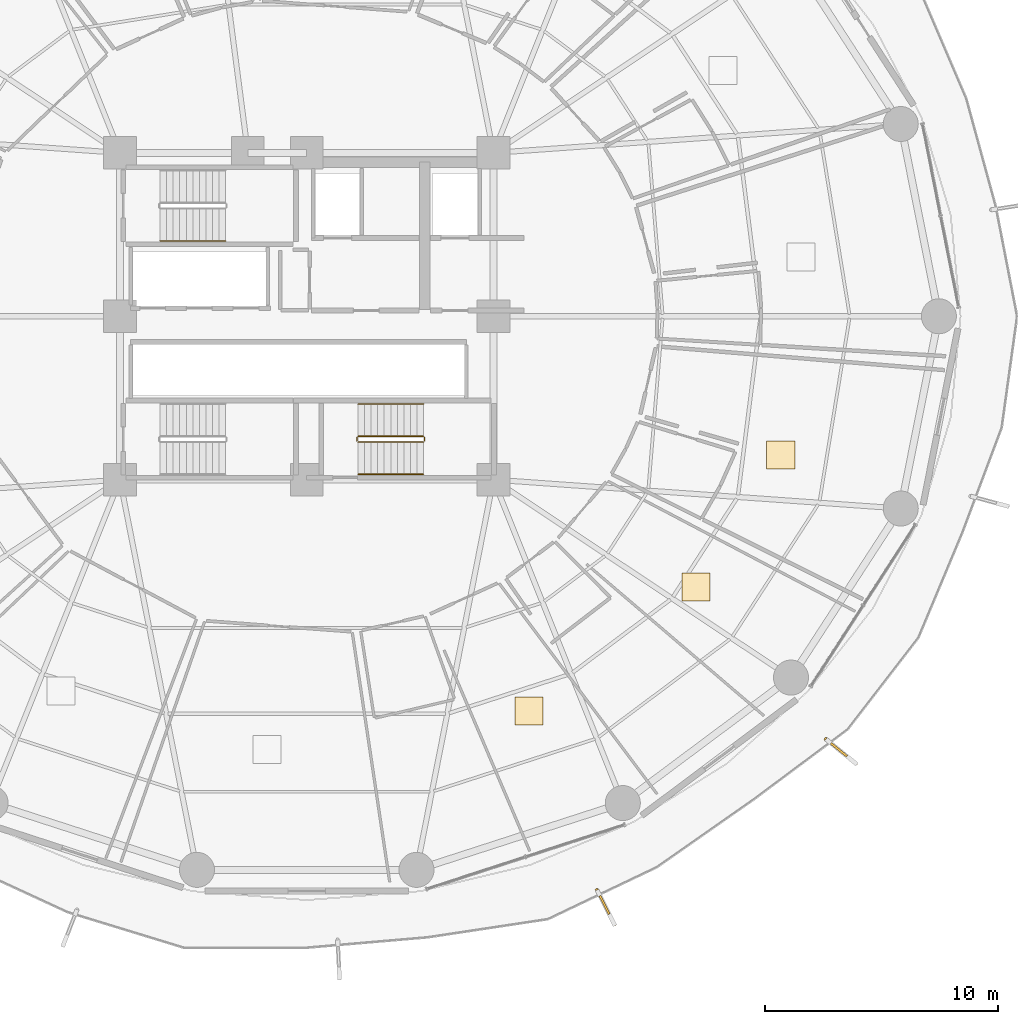
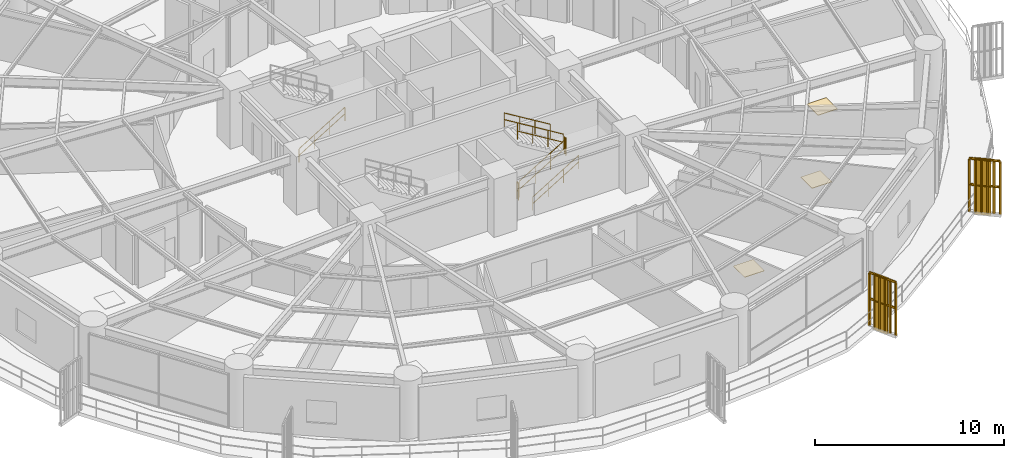
# One storey, part 29 of 32: 9 railings, 3 coverings, 2 shading devices.
"""IFC4 building model written with IfcOpenShell, lengths in metres."""

from ifc_helpers import new_model, si_unit, direction, frame, origin, origin_2d, place, context, subcontext, project, spatial, polyline, rectangle, outline, extrude, source, transform, mapped, material, layer, layer_set, type_object, element, save


model = new_model("IFC4")

# Units and contexts
model_context = context("Model", 3, precision=1e-05, world=origin(), true_north=direction((0.0, 1.0)))
body_context = subcontext(model_context, "Body", "Model", "MODEL_VIEW")
ifc_project = project(units=[si_unit("LENGTHUNIT", "METRE"), si_unit("AREAUNIT", "SQUARE_METRE"), si_unit("VOLUMEUNIT", "CUBIC_METRE"), si_unit("PLANEANGLEUNIT", "RADIAN"), si_unit("MASSUNIT", "GRAM", prefix="KILO")], contexts=[model_context])

# Site, building, storey
site_placement = place(None, origin())
site = spatial("IfcSite", under=ifc_project, at=site_placement, CompositionType="ELEMENT")
building_placement = place(site_placement, origin())
building = spatial("IfcBuilding", under=site, at=building_placement, Name="Kelanora Arch Commons", CompositionType="ELEMENT")
storey_placement = place(building_placement, frame((0.0, 0.0, 60.0)))
storey = spatial("IfcBuildingStorey", under=building, at=storey_placement, Name="L15", CompositionType="ELEMENT", Elevation=60.0)

# Railings
ifc_material_1 = material(Name="Anodised bronze vertical shading fin rib assembly")
railing_type_1 = type_object("IfcRailingType", Name="RAIL-FIN-BRZ", PredefinedType="BALUSTRADE", material=ifc_material_1)
railing_1_placement = place(storey_placement, frame((86.433349609375, 33.42578125, -0.02001953125)))
element("IfcRailing", 1, at=railing_1_placement, inside=storey, type_object=railing_type_1, Name="Sweeping Bronze Vertical Fin Blade L15-11", PredefinedType="BALUSTRADE", context=body_context, shape_type="SweptSolid", body=[
    extrude(outline(polyline([(0.06982421875, 0.0), (0.034912109375, 0.060546875), (-0.034912109375, 0.060546875), (-0.06982421875, 0.0), (-0.034912109375, -0.060546875), (0.034912109375, -0.060546875), (0.06982421875, 0.0)])), frame((0.0, 0.0, 3.419921875), z_axis=(0.451398136446, -0.892322656001, 0.0), x_axis=(0.892322656001, 0.451398136446, 0.0)), (0.0, 0.0, 1.0), 1.655029296875),
    extrude(outline(polyline([(0.06982421875, 0.0), (0.034912109375, 0.060546875), (-0.034912109375, 0.060546875), (-0.06982421875, 0.0), (-0.034912109375, -0.060546875), (0.034912109375, -0.060546875), (0.06982421875, 0.0)])), frame((0.0, 0.0, 1.7451171875), z_axis=(0.451398136446, -0.892322656001, 0.0), x_axis=(0.892322656001, 0.451398136446, 0.0)), (0.0, 0.0, 1.0), 1.655029296875),
    extrude(outline(polyline([(0.080078125, 0.0), (0.0400390625, 0.0693359375), (-0.0400390625, 0.0693359375), (-0.080078125, 0.0), (-0.0400390625, -0.0693359375), (0.0400390625, -0.0693359375), (0.080078125, 0.0)])), origin(), (0.0, 0.0, 1.0), 3.35009765625),
    extrude(outline(polyline([(0.080078125, 0.0), (0.0400390625, 0.0693359375), (-0.0400390625, 0.0693359375), (-0.080078125, 0.0), (-0.0400390625, -0.0693359375), (0.0400390625, -0.0693359375), (0.080078125, 0.0)])), frame((0.1494140625, -0.29541015625, 0.0)), (0.0, 0.0, 1.0), 3.35009765625),
    extrude(outline(polyline([(0.080078125, 0.0), (0.0400390625, 0.0693359375), (-0.0400390625, 0.0693359375), (-0.080078125, 0.0), (-0.0400390625, -0.0693359375), (0.0400390625, -0.0693359375), (0.080078125, 0.0)])), frame((0.298828125, -0.5908203125, 0.0)), (0.0, 0.0, 1.0), 3.35009765625),
    extrude(outline(polyline([(0.080078125, 0.0), (0.0400390625, 0.0693359375), (-0.0400390625, 0.0693359375), (-0.080078125, 0.0), (-0.0400390625, -0.0693359375), (0.0400390625, -0.0693359375), (0.080078125, 0.0)])), frame((0.4482421875, -0.885986328125, 0.0)), (0.0, 0.0, 1.0), 3.35009765625),
    extrude(outline(polyline([(0.080078125, 0.0), (0.0400390625, 0.0693359375), (-0.0400390625, 0.0693359375), (-0.080078125, 0.0), (-0.0400390625, -0.0693359375), (0.0400390625, -0.0693359375), (0.080078125, 0.0)])), frame((0.59765625, -1.181396484375, 0.0)), (0.0, 0.0, 1.0), 3.35009765625),
    extrude(outline(polyline([(0.080078125, 0.0), (0.0400390625, 0.0693359375), (-0.0400390625, 0.0693359375), (-0.080078125, 0.0), (-0.0400390625, -0.0693359375), (0.0400390625, -0.0693359375), (0.080078125, 0.0)])), frame((0.7470703125, -1.476806640625, 0.0)), (0.0, 0.0, 1.0), 3.35009765625),
])
railing_2_placement = place(storey_placement, frame((96.243408203125, 39.882568359375, -0.02001953125)))
element("IfcRailing", 2, at=railing_2_placement, inside=storey, type_object=railing_type_1, Name="Sweeping Bronze Vertical Fin Blade L15-12", PredefinedType="BALUSTRADE", context=body_context, shape_type="SweptSolid", body=[
    extrude(outline(polyline([(0.06982421875, 0.0), (0.034912109375, 0.060546875), (-0.034912109375, 0.060546875), (-0.06982421875, 0.0), (-0.034912109375, -0.060546875), (0.034912109375, -0.060546875), (0.06982421875, 0.0)])), frame((0.0, 0.0, 3.419921875), z_axis=(0.775355369592, -0.631525178315, 0.0), x_axis=(0.631525178315, 0.775355369592, 0.0)), (0.0, 0.0, 1.0), 1.655029296875),
    extrude(outline(polyline([(0.06982421875, 0.0), (0.034912109375, 0.060546875), (-0.034912109375, 0.060546875), (-0.06982421875, 0.0), (-0.034912109375, -0.060546875), (0.034912109375, -0.060546875), (0.06982421875, 0.0)])), frame((0.0, 0.0, 1.7451171875), z_axis=(0.775355369592, -0.631525178315, 0.0), x_axis=(0.631525178315, 0.775355369592, 0.0)), (0.0, 0.0, 1.0), 1.655029296875),
    extrude(outline(polyline([(0.080078125, 0.0), (0.0400390625, 0.0693359375), (-0.0400390625, 0.0693359375), (-0.080078125, 0.0), (-0.0400390625, -0.0693359375), (0.0400390625, -0.0693359375), (0.080078125, 0.0)])), origin(), (0.0, 0.0, 1.0), 3.35009765625),
    extrude(outline(polyline([(0.080078125, 0.0), (0.0400390625, 0.0693359375), (-0.0400390625, 0.0693359375), (-0.080078125, 0.0), (-0.0400390625, -0.0693359375), (0.0400390625, -0.0693359375), (0.080078125, 0.0)])), frame((0.256591796875, -0.208984375, 0.0)), (0.0, 0.0, 1.0), 3.35009765625),
    extrude(outline(polyline([(0.080078125, 0.0), (0.0400390625, 0.0693359375), (-0.0400390625, 0.0693359375), (-0.080078125, 0.0), (-0.0400390625, -0.0693359375), (0.0400390625, -0.0693359375), (0.080078125, 0.0)])), frame((0.51318359375, -0.41796875, 0.0)), (0.0, 0.0, 1.0), 3.35009765625),
    extrude(outline(polyline([(0.080078125, 0.0), (0.0400390625, 0.0693359375), (-0.0400390625, 0.0693359375), (-0.080078125, 0.0), (-0.0400390625, -0.0693359375), (0.0400390625, -0.0693359375), (0.080078125, 0.0)])), frame((0.77001953125, -0.627197265625, 0.0)), (0.0, 0.0, 1.0), 3.35009765625),
    extrude(outline(polyline([(0.080078125, 0.0), (0.0400390625, 0.0693359375), (-0.0400390625, 0.0693359375), (-0.080078125, 0.0), (-0.0400390625, -0.0693359375), (0.0400390625, -0.0693359375), (0.080078125, 0.0)])), frame((1.026611328125, -0.836181640625, 0.0)), (0.0, 0.0, 1.0), 3.35009765625),
    extrude(outline(polyline([(0.080078125, 0.0), (0.0400390625, 0.0693359375), (-0.0400390625, 0.0693359375), (-0.080078125, 0.0), (-0.0400390625, -0.0693359375), (0.0400390625, -0.0693359375), (0.080078125, 0.0)])), frame((1.283203125, -1.045166015625, 0.0)), (0.0, 0.0, 1.0), 3.35009765625),
])
ifc_material_2 = material(Name="Painted steel stair well guard", Category="steel")
railing_type_2 = type_object("IfcRailingType", Name="RAIL-STAIR-GRD", PredefinedType="GUARDRAIL", material=ifc_material_2)
railing_3_placement = place(storey_placement, frame((76.199951171875, 52.610107421875, 0.17041015625)))
element("IfcRailing", 3, at=railing_3_placement, inside=storey, type_object=railing_type_2, Name="L15 ST-T2 stair guard 1", PredefinedType="GUARDRAIL", context=body_context, shape_type="SweptSolid", body=[
    extrude(outline(polyline([(0.02392578125, 0.0), (0.011962890625, 0.020751953125), (-0.011962890625, 0.020751953125), (-0.02392578125, 0.0), (-0.011962890625, -0.020751953125), (0.011962890625, -0.020751953125), (0.02392578125, 0.0)])), frame((0.0, 0.0, 1.076171875), z_axis=(0.854169791009, 0.0, 0.51999420009), x_axis=(0.0, 1.0, 0.0)), (0.0, 0.0, 1.0), 3.278076171875),
    extrude(outline(polyline([(0.02392578125, 0.0), (0.011962890625, 0.020751953125), (-0.011962890625, 0.020751953125), (-0.02392578125, 0.0), (-0.011962890625, -0.020751953125), (0.011962890625, -0.020751953125), (0.02392578125, 0.0)])), frame((0.0, 0.0, 0.550048828125), z_axis=(0.854169791009, 0.0, 0.51999420009), x_axis=(0.0, 1.0, 0.0)), (0.0, 0.0, 1.0), 3.278076171875),
    extrude(outline(polyline([(0.02099609375, 0.0), (0.010498046875, 0.01806640625), (-0.010498046875, 0.01806640625), (-0.02099609375, 0.0), (-0.010498046875, -0.01806640625), (0.010498046875, -0.01806640625), (0.02099609375, 0.0)])), origin(), (0.0, 0.0, 1.0), 1.052001953125),
    extrude(outline(polyline([(0.02099609375, 0.0), (0.010498046875, 0.01806640625), (-0.010498046875, 0.01806640625), (-0.02099609375, 0.0), (-0.010498046875, -0.01806640625), (0.010498046875, -0.01806640625), (0.02099609375, 0.0)])), frame((0.933349609375, 0.0, 0.568115234375)), (0.0, 0.0, 1.0), 1.052001953125),
    extrude(outline(polyline([(0.02099609375, 0.0), (0.010498046875, 0.01806640625), (-0.010498046875, 0.01806640625), (-0.02099609375, 0.0), (-0.010498046875, -0.01806640625), (0.010498046875, -0.01806640625), (0.02099609375, 0.0)])), frame((1.86669921875, 0.0, 1.136474609375)), (0.0, 0.0, 1.0), 1.052001953125),
    extrude(outline(polyline([(0.02099609375, 0.0), (0.010498046875, 0.01806640625), (-0.010498046875, 0.01806640625), (-0.02099609375, 0.0), (-0.010498046875, -0.01806640625), (0.010498046875, -0.01806640625), (0.02099609375, 0.0)])), frame((2.800048828125, 0.0, 1.70458984375)), (0.0, 0.0, 1.0), 1.052001953125),
])
railing_4_placement = place(storey_placement, frame((79.050048828125, 52.659912109375, 1.875)))
element("IfcRailing", 4, at=railing_4_placement, inside=storey, type_object=railing_type_2, Name="L15 ST-T2 stair guard 2", PredefinedType="GUARDRAIL", context=body_context, shape_type="SweptSolid", body=[
    extrude(outline(polyline([(0.02392578125, 0.0), (0.011962890625, 0.020751953125), (-0.011962890625, 0.020751953125), (-0.02392578125, 0.0), (-0.011962890625, -0.020751953125), (0.011962890625, -0.020751953125), (0.02392578125, 0.0)])), frame((0.0, 0.0, 1.076171875), z_axis=(0.0, 1.0, 0.0), x_axis=(-1.0, 0.0, 0.0)), (0.0, 0.0, 1.0), 0.150146484375),
    extrude(outline(polyline([(0.02392578125, 0.0), (0.011962890625, 0.020751953125), (-0.011962890625, 0.020751953125), (-0.02392578125, 0.0), (-0.011962890625, -0.020751953125), (0.011962890625, -0.020751953125), (0.02392578125, 0.0)])), frame((0.0, 0.0, 0.550048828125), z_axis=(0.0, 1.0, 0.0), x_axis=(-1.0, 0.0, 0.0)), (0.0, 0.0, 1.0), 0.150146484375),
    extrude(outline(polyline([(0.02099609375, 0.0), (0.010498046875, 0.01806640625), (-0.010498046875, 0.01806640625), (-0.02099609375, 0.0), (-0.010498046875, -0.01806640625), (0.010498046875, -0.01806640625), (0.02099609375, 0.0)])), origin(), (0.0, 0.0, 1.0), 1.052001953125),
    extrude(outline(polyline([(0.02099609375, 0.0), (0.010498046875, 0.01806640625), (-0.010498046875, 0.01806640625), (-0.02099609375, 0.0), (-0.010498046875, -0.01806640625), (0.010498046875, -0.01806640625), (0.02099609375, 0.0)])), frame((0.0, 0.150146484375, 0.0)), (0.0, 0.0, 1.0), 1.052001953125),
])
railing_5_placement = place(storey_placement, frame((79.0, 52.860107421875, 2.04541015625)))
element("IfcRailing", 5, at=railing_5_placement, inside=storey, type_object=railing_type_2, Name="L15 ST-T2 stair guard 3", PredefinedType="GUARDRAIL", context=body_context, shape_type="SweptSolid", body=[
    extrude(outline(polyline([(0.02392578125, 0.0), (0.011962890625, 0.020751953125), (-0.011962890625, 0.020751953125), (-0.02392578125, 0.0), (-0.011962890625, -0.020751953125), (0.011962890625, -0.020751953125), (0.02392578125, 0.0)])), frame((0.0, 0.0, 1.076171875), z_axis=(-0.854169791009, 0.0, 0.51999420009), x_axis=(0.0, -1.0, 0.0)), (0.0, 0.0, 1.0), 3.278076171875),
    extrude(outline(polyline([(0.02392578125, 0.0), (0.011962890625, 0.020751953125), (-0.011962890625, 0.020751953125), (-0.02392578125, 0.0), (-0.011962890625, -0.020751953125), (0.011962890625, -0.020751953125), (0.02392578125, 0.0)])), frame((0.0, 0.0, 0.550048828125), z_axis=(-0.854169791009, 0.0, 0.51999420009), x_axis=(0.0, -1.0, 0.0)), (0.0, 0.0, 1.0), 3.278076171875),
    extrude(outline(polyline([(0.02099609375, 0.0), (0.010498046875, 0.01806640625), (-0.010498046875, 0.01806640625), (-0.02099609375, 0.0), (-0.010498046875, -0.01806640625), (0.010498046875, -0.01806640625), (0.02099609375, 0.0)])), origin(), (0.0, 0.0, 1.0), 1.052001953125),
    extrude(outline(polyline([(0.02099609375, 0.0), (0.010498046875, 0.01806640625), (-0.010498046875, 0.01806640625), (-0.02099609375, 0.0), (-0.010498046875, -0.01806640625), (0.010498046875, -0.01806640625), (0.02099609375, 0.0)])), frame((-0.933349609375, 0.0, 0.568115234375)), (0.0, 0.0, 1.0), 1.052001953125),
    extrude(outline(polyline([(0.02099609375, 0.0), (0.010498046875, 0.01806640625), (-0.010498046875, 0.01806640625), (-0.02099609375, 0.0), (-0.010498046875, -0.01806640625), (0.010498046875, -0.01806640625), (0.02099609375, 0.0)])), frame((-1.86669921875, 0.0, 1.136474609375)), (0.0, 0.0, 1.0), 1.052001953125),
    extrude(outline(polyline([(0.02099609375, 0.0), (0.010498046875, 0.01806640625), (-0.010498046875, 0.01806640625), (-0.02099609375, 0.0), (-0.010498046875, -0.01806640625), (0.010498046875, -0.01806640625), (0.02099609375, 0.0)])), frame((-2.800048828125, 0.0, 1.70458984375)), (0.0, 0.0, 1.0), 1.052001953125),
])
railing_6_placement = place(storey_placement, frame((76.14990234375, 52.659912109375, 0.0)))
element("IfcRailing", 6, at=railing_6_placement, inside=storey, type_object=railing_type_2, Name="L15 ST-T2 stair guard 4", PredefinedType="GUARDRAIL", context=body_context, shape_type="SweptSolid", body=[
    extrude(outline(polyline([(0.02392578125, 0.0), (0.011962890625, 0.020751953125), (-0.011962890625, 0.020751953125), (-0.02392578125, 0.0), (-0.011962890625, -0.020751953125), (0.011962890625, -0.020751953125), (0.02392578125, 0.0)])), frame((0.0, 0.0, 1.076171875), z_axis=(0.0, 1.0, 0.0), x_axis=(-1.0, 0.0, 0.0)), (0.0, 0.0, 1.0), 0.150146484375),
    extrude(outline(polyline([(0.02392578125, 0.0), (0.011962890625, 0.020751953125), (-0.011962890625, 0.020751953125), (-0.02392578125, 0.0), (-0.011962890625, -0.020751953125), (0.011962890625, -0.020751953125), (0.02392578125, 0.0)])), frame((0.0, 0.0, 0.550048828125), z_axis=(0.0, 1.0, 0.0), x_axis=(-1.0, 0.0, 0.0)), (0.0, 0.0, 1.0), 0.150146484375),
    extrude(outline(polyline([(0.02099609375, 0.0), (0.010498046875, 0.01806640625), (-0.010498046875, 0.01806640625), (-0.02099609375, 0.0), (-0.010498046875, -0.01806640625), (0.010498046875, -0.01806640625), (0.02099609375, 0.0)])), origin(), (0.0, 0.0, 1.0), 1.052001953125),
    extrude(outline(polyline([(0.02099609375, 0.0), (0.010498046875, 0.01806640625), (-0.010498046875, 0.01806640625), (-0.02099609375, 0.0), (-0.010498046875, -0.01806640625), (0.010498046875, -0.01806640625), (0.02099609375, 0.0)])), frame((0.0, 0.150146484375, 0.0)), (0.0, 0.0, 1.0), 1.052001953125),
])
ifc_material_3 = material(Name="Brushed stainless steel stair handrail", Category="steel")
railing_type_3 = type_object("IfcRailingType", Name="RAIL-STAIR-HND", PredefinedType="HANDRAIL", material=ifc_material_3)
railing_7_placement = place(storey_placement, frame((67.719970703125, 61.22998046875, 0.17041015625)))
element("IfcRailing", 7, at=railing_7_placement, inside=storey, type_object=railing_type_3, Name="L15 ST-T1 stair handrail 1", PredefinedType="HANDRAIL", context=body_context, shape_type="SweptSolid", body=[
    extrude(outline(polyline([(0.02392578125, 0.0), (0.011962890625, 0.020751953125), (-0.011962890625, 0.020751953125), (-0.02392578125, 0.0), (-0.011962890625, -0.020751953125), (0.011962890625, -0.020751953125), (0.02392578125, 0.0)])), frame((0.0, 0.0, 0.8759765625), z_axis=(0.854169791009, 0.0, 0.51999420009), x_axis=(0.0, 1.0, 0.0)), (0.0, 0.0, 1.0), 3.278076171875),
    extrude(outline(polyline([(0.02392578125, 0.0), (0.011962890625, 0.020751953125), (-0.011962890625, 0.020751953125), (-0.02392578125, 0.0), (-0.011962890625, -0.020751953125), (0.011962890625, -0.020751953125), (0.02392578125, 0.0)])), frame((0.0, 0.0, 0.449951171875), z_axis=(0.854169791009, 0.0, 0.51999420009), x_axis=(0.0, 1.0, 0.0)), (0.0, 0.0, 1.0), 3.278076171875),
    extrude(outline(polyline([(0.02099609375, 0.0), (0.010498046875, 0.01806640625), (-0.010498046875, 0.01806640625), (-0.02099609375, 0.0), (-0.010498046875, -0.01806640625), (0.010498046875, -0.01806640625), (0.02099609375, 0.0)])), origin(), (0.0, 0.0, 1.0), 0.851806640625),
    extrude(outline(polyline([(0.02099609375, 0.0), (0.010498046875, 0.01806640625), (-0.010498046875, 0.01806640625), (-0.02099609375, 0.0), (-0.010498046875, -0.01806640625), (0.010498046875, -0.01806640625), (0.02099609375, 0.0)])), frame((0.933349609375, 0.0, 0.568115234375)), (0.0, 0.0, 1.0), 0.851806640625),
    extrude(outline(polyline([(0.02099609375, 0.0), (0.010498046875, 0.01806640625), (-0.010498046875, 0.01806640625), (-0.02099609375, 0.0), (-0.010498046875, -0.01806640625), (0.010498046875, -0.01806640625), (0.02099609375, 0.0)])), frame((1.86669921875, 0.0, 1.136474609375)), (0.0, 0.0, 1.0), 0.851806640625),
    extrude(outline(polyline([(0.02099609375, 0.0), (0.010498046875, 0.01806640625), (-0.010498046875, 0.01806640625), (-0.02099609375, 0.0), (-0.010498046875, -0.01806640625), (0.010498046875, -0.01806640625), (0.02099609375, 0.0)])), frame((2.800048828125, 0.0, 1.70458984375)), (0.0, 0.0, 1.0), 0.851806640625),
])
railing_8_placement = place(storey_placement, frame((76.199951171875, 51.22998046875, 0.17041015625)))
element("IfcRailing", 8, at=railing_8_placement, inside=storey, type_object=railing_type_3, Name="L15 ST-T2 stair handrail 1", PredefinedType="HANDRAIL", context=body_context, shape_type="SweptSolid", body=[
    extrude(outline(polyline([(0.02392578125, 0.0), (0.011962890625, 0.020751953125), (-0.011962890625, 0.020751953125), (-0.02392578125, 0.0), (-0.011962890625, -0.020751953125), (0.011962890625, -0.020751953125), (0.02392578125, 0.0)])), frame((0.0, 0.0, 0.8759765625), z_axis=(0.854169791009, 0.0, 0.51999420009), x_axis=(0.0, 1.0, 0.0)), (0.0, 0.0, 1.0), 3.278076171875),
    extrude(outline(polyline([(0.02392578125, 0.0), (0.011962890625, 0.020751953125), (-0.011962890625, 0.020751953125), (-0.02392578125, 0.0), (-0.011962890625, -0.020751953125), (0.011962890625, -0.020751953125), (0.02392578125, 0.0)])), frame((0.0, 0.0, 0.449951171875), z_axis=(0.854169791009, 0.0, 0.51999420009), x_axis=(0.0, 1.0, 0.0)), (0.0, 0.0, 1.0), 3.278076171875),
    extrude(outline(polyline([(0.02099609375, 0.0), (0.010498046875, 0.01806640625), (-0.010498046875, 0.01806640625), (-0.02099609375, 0.0), (-0.010498046875, -0.01806640625), (0.010498046875, -0.01806640625), (0.02099609375, 0.0)])), origin(), (0.0, 0.0, 1.0), 0.851806640625),
    extrude(outline(polyline([(0.02099609375, 0.0), (0.010498046875, 0.01806640625), (-0.010498046875, 0.01806640625), (-0.02099609375, 0.0), (-0.010498046875, -0.01806640625), (0.010498046875, -0.01806640625), (0.02099609375, 0.0)])), frame((0.933349609375, 0.0, 0.568115234375)), (0.0, 0.0, 1.0), 0.851806640625),
    extrude(outline(polyline([(0.02099609375, 0.0), (0.010498046875, 0.01806640625), (-0.010498046875, 0.01806640625), (-0.02099609375, 0.0), (-0.010498046875, -0.01806640625), (0.010498046875, -0.01806640625), (0.02099609375, 0.0)])), frame((1.86669921875, 0.0, 1.136474609375)), (0.0, 0.0, 1.0), 0.851806640625),
    extrude(outline(polyline([(0.02099609375, 0.0), (0.010498046875, 0.01806640625), (-0.010498046875, 0.01806640625), (-0.02099609375, 0.0), (-0.010498046875, -0.01806640625), (0.010498046875, -0.01806640625), (0.02099609375, 0.0)])), frame((2.800048828125, 0.0, 1.70458984375)), (0.0, 0.0, 1.0), 0.851806640625),
])
railing_9_placement = place(storey_placement, frame((79.0, 54.239990234375, 2.04541015625)))
element("IfcRailing", 9, at=railing_9_placement, inside=storey, type_object=railing_type_3, Name="L15 ST-T2 stair handrail 2", PredefinedType="HANDRAIL", context=body_context, shape_type="SweptSolid", body=[
    extrude(outline(polyline([(0.02392578125, 0.0), (0.011962890625, 0.020751953125), (-0.011962890625, 0.020751953125), (-0.02392578125, 0.0), (-0.011962890625, -0.020751953125), (0.011962890625, -0.020751953125), (0.02392578125, 0.0)])), frame((0.0, 0.0, 0.8759765625), z_axis=(-0.854169791009, 0.0, 0.51999420009), x_axis=(0.0, -1.0, 0.0)), (0.0, 0.0, 1.0), 3.278076171875),
    extrude(outline(polyline([(0.02392578125, 0.0), (0.011962890625, 0.020751953125), (-0.011962890625, 0.020751953125), (-0.02392578125, 0.0), (-0.011962890625, -0.020751953125), (0.011962890625, -0.020751953125), (0.02392578125, 0.0)])), frame((0.0, 0.0, 0.449951171875), z_axis=(-0.854169791009, 0.0, 0.51999420009), x_axis=(0.0, -1.0, 0.0)), (0.0, 0.0, 1.0), 3.278076171875),
    extrude(outline(polyline([(0.02099609375, 0.0), (0.010498046875, 0.01806640625), (-0.010498046875, 0.01806640625), (-0.02099609375, 0.0), (-0.010498046875, -0.01806640625), (0.010498046875, -0.01806640625), (0.02099609375, 0.0)])), origin(), (0.0, 0.0, 1.0), 0.851806640625),
    extrude(outline(polyline([(0.02099609375, 0.0), (0.010498046875, 0.01806640625), (-0.010498046875, 0.01806640625), (-0.02099609375, 0.0), (-0.010498046875, -0.01806640625), (0.010498046875, -0.01806640625), (0.02099609375, 0.0)])), frame((-0.933349609375, 0.0, 0.568115234375)), (0.0, 0.0, 1.0), 0.851806640625),
    extrude(outline(polyline([(0.02099609375, 0.0), (0.010498046875, 0.01806640625), (-0.010498046875, 0.01806640625), (-0.02099609375, 0.0), (-0.010498046875, -0.01806640625), (0.010498046875, -0.01806640625), (0.02099609375, 0.0)])), frame((-1.86669921875, 0.0, 1.136474609375)), (0.0, 0.0, 1.0), 0.851806640625),
    extrude(outline(polyline([(0.02099609375, 0.0), (0.010498046875, 0.01806640625), (-0.010498046875, 0.01806640625), (-0.02099609375, 0.0), (-0.010498046875, -0.01806640625), (0.010498046875, -0.01806640625), (0.02099609375, 0.0)])), frame((-2.800048828125, 0.0, 1.70458984375)), (0.0, 0.0, 1.0), 0.851806640625),
])

# Shading devices
ifc_material_4 = material(Name="Terracotta ceramic-clad extruded aluminium fin", Category="masonry")
shading_device_type = type_object("IfcShadingDeviceType", Name="SHD-FIN-FLARE", PredefinedType="USERDEFINED", material=ifc_material_4)
shared_shape_1 = source(origin(), body_context, "Body", "SweptSolid", [
    extrude(rectangle(XDim=0.8798828125, YDim=0.090087890625, at=origin_2d()), origin(), (0.0, 0.0, 1.0), 3.610107421875),
])
for number, where, z_axis, x_axis, name in (
    (10, (86.75830078125, 32.783203125, -0.14013671875), (0.0, 0.0, 1.0), (0.451500573218, -0.892270829056, 0.0), "Sweeping Terracotta Fin L15-11"),
    (11, (96.8017578125, 39.427978515625, -0.14013671875), (0.0, 0.0, 1.0), (0.775385539511, -0.631488135373, 0.0), "Sweeping Terracotta Fin L15-12"),
):
    element("IfcShadingDevice", number, at=place(storey_placement, frame(where, z_axis=z_axis, x_axis=x_axis)), inside=storey, type_object=shading_device_type, Name=name, ObjectType="FIN", PredefinedType="USERDEFINED", context=body_context, shape_type="MappedRepresentation", body=[
        mapped(shared_shape_1, transform((0.0, 0.0, 0.0), scale=1.0)),
    ])

# Coverings
ifc_material_5 = material(Name="Polished local granite terrazzo flooring", Category="masonry")
ifc_layer = layer(ifc_material_5, 0.030029296875)
ifc_layer_set = layer_set([ifc_layer], Name="Polished local granite terrazzo flooring")
covering_type = type_object("IfcCoveringType", Name="COV-FLR-TER", PredefinedType="FLOORING", material=ifc_layer_set)
shared_shape_2 = source(origin(), body_context, "Body", "SweptSolid", [
    extrude(rectangle(XDim=1.199951171875, YDim=1.199951171875, at=origin_2d()), origin(), (0.0, 0.0, 1.0), 0.030029296875),
])
for number, where, z_axis, x_axis, name in (
    (12, (83.512939453125, 41.092529296875, 0.0), (0.0, 0.0, 1.0), (1.0, 0.0, 0.0), "Quiet Reading Carrel L15-11 Terrazzo Finish"),
    (13, (90.6845703125, 46.403564453125, 0.0), (0.0, 0.0, 1.0), (1.0, 0.0, 0.0), "Tutorial Study Alcove L15-12 Terrazzo Finish"),
    (14, (94.30615234375, 52.06494140625, 0.0), (0.0, 0.0, 1.0), (1.0, 0.0, 0.0), "Co-Living Studio L15-13 Terrazzo Finish"),
):
    element("IfcCovering", number, at=place(storey_placement, frame(where, z_axis=z_axis, x_axis=x_axis)), inside=storey, type_object=covering_type, Name=name, PredefinedType="FLOORING", context=body_context, shape_type="MappedRepresentation", body=[
        mapped(shared_shape_2, transform((0.0, 0.0, 0.0), scale=1.0)),
    ])

save(model, "model.ifc")
